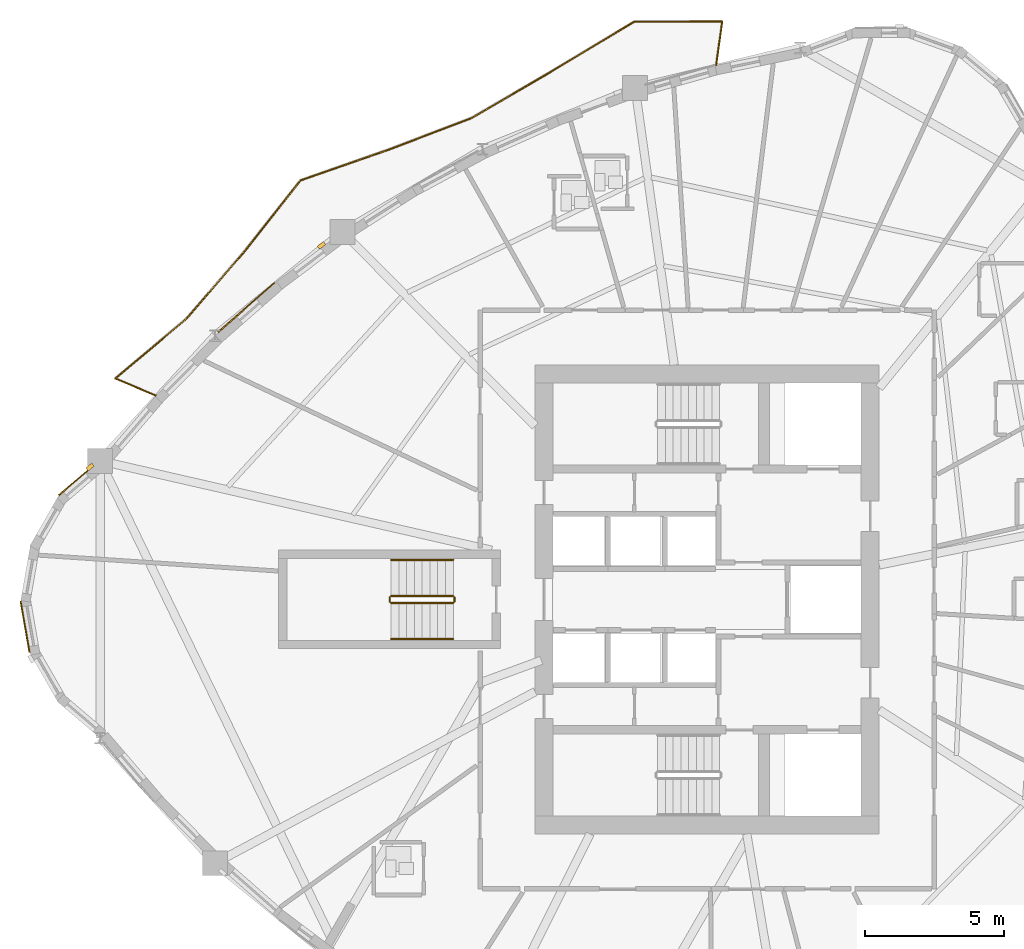
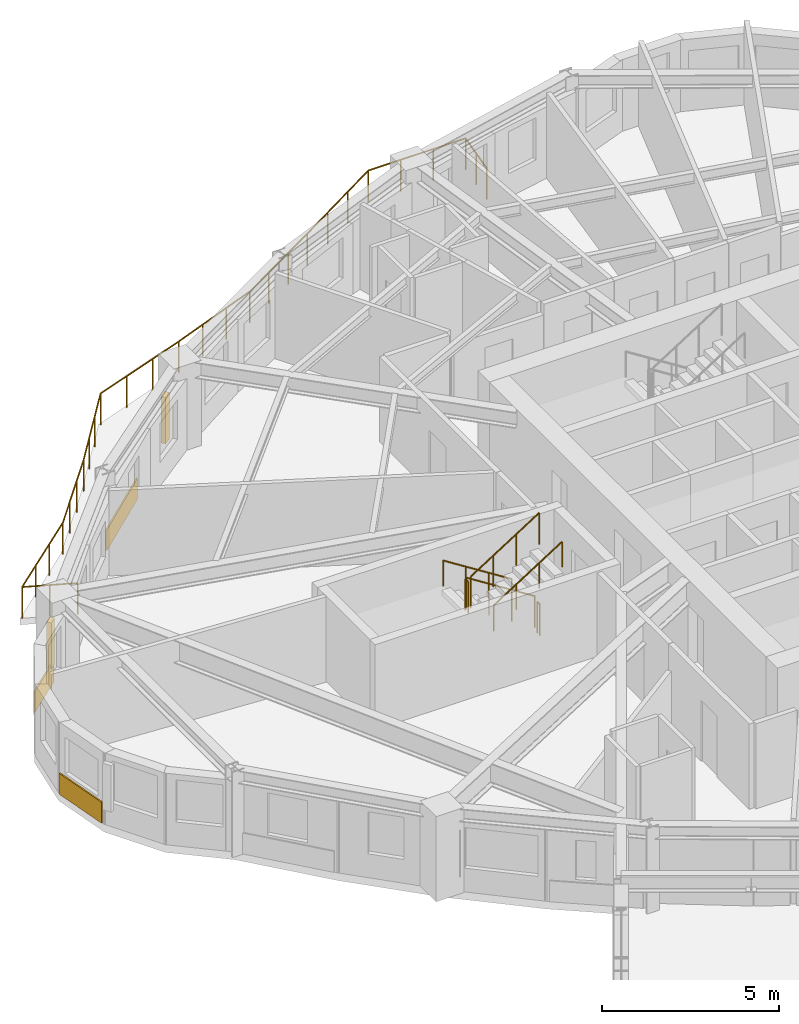
# One storey, part 14 of 17: 7 railings, 3 coverings, 2 shading devices.
"""IFC4 building model written with IfcOpenShell, lengths in metres."""

from ifc_helpers import new_model, si_unit, direction, frame, origin, origin_2d, place, context, subcontext, project, spatial, rectangle, circle, extrude, source, transform, mapped, material, layer, layer_set, type_object, element, save


model = new_model("IFC4")

# Units and contexts
model_context = context("Model", 3, precision=1e-05, world=origin(), true_north=direction((0.0, 1.0)))
body_context = subcontext(model_context, "Body", "Model", "MODEL_VIEW")
ifc_project = project(units=[si_unit("LENGTHUNIT", "METRE"), si_unit("AREAUNIT", "SQUARE_METRE"), si_unit("VOLUMEUNIT", "CUBIC_METRE"), si_unit("PLANEANGLEUNIT", "RADIAN"), si_unit("MASSUNIT", "GRAM", prefix="KILO")], contexts=[model_context])

# Site, building, storey
site_placement = place(None, origin())
site = spatial("IfcSite", under=ifc_project, at=site_placement, CompositionType="ELEMENT")
building_placement = place(site_placement, origin())
building = spatial("IfcBuilding", under=site, at=building_placement, Name="Qafzar Sky-Pleat Residences", CompositionType="ELEMENT")
storey_placement = place(building_placement, frame((0.0, 0.0, 112.0)))
storey = spatial("IfcBuildingStorey", under=building, at=storey_placement, Name="L33", CompositionType="ELEMENT", Elevation=112.0)

# Shading devices
ifc_material_1 = material(Name="Honed Riyadh limestone solar fin", Category="masonry")
ifc_layer_1 = layer(ifc_material_1, 0.139892578125)
ifc_layer_set_1 = layer_set([ifc_layer_1], Name="Honed Riyadh limestone solar fin")
shading_device_type = type_object("IfcShadingDeviceType", Name="SHD-FIN-STONE", PredefinedType="SHUTTER", material=ifc_layer_set_1)
shared_shape_1 = source(origin(), body_context, "Body", "SweptSolid", [
    extrude(rectangle(XDim=0.139892578125, YDim=0.280029296875, at=origin_2d()), origin(), (0.0, 0.0, 1.0), 1.60009765625),
])
for number, where, z_axis, x_axis, name in (
    (1, (8.1103515625, 30.771728515625, 0.599853515625), (0.0, 0.0, 1.0), (-0.648602943999, 0.761126941473, 0.0), "L33 Limestone Solar Fin 1"),
    (2, (16.45361328125, 38.758544921875, 0.599853515625), (0.0, 0.0, 1.0), (-0.60217974117, 0.798360544694, 0.0), "L33 Limestone Solar Fin 45"),
):
    element("IfcShadingDevice", number, at=place(storey_placement, frame(where, z_axis=z_axis, x_axis=x_axis)), inside=storey, type_object=shading_device_type, Name=name, PredefinedType="SHUTTER", context=body_context, shape_type="MappedRepresentation", body=[
        mapped(shared_shape_1, transform((0.0, 0.0, 0.0), x_axis=(1.0, 0.0, 0.0), y_axis=(0.0, 1.0, 0.0), z_axis=(0.0, 0.0, 1.0), scale=1.0)),
    ])

# Coverings
ifc_material_2 = material(Name="Honed Riyadh Tuwaiq limestone cladding", Category="masonry")
ifc_layer_2 = layer(ifc_material_2, 0.044921875)
ifc_layer_set_2 = layer_set([ifc_layer_2], Name="Honed Riyadh Tuwaiq limestone cladding")
covering_type = type_object("IfcCoveringType", Name="COV-CLAD-STONE", PredefinedType="CLADDING", material=ifc_layer_set_2)
shared_shape_2 = source(origin(), body_context, "Body", "SweptSolid", [
    extrude(rectangle(XDim=1.62451171875, YDim=0.044921875, at=origin_2d()), origin(), (0.0, 0.0, 1.0), 0.719970703125),
])
covering_1_placement = place(storey_placement, frame((7.597900390625, 30.278564453125, 0.02001953125), z_axis=(0.0, 0.0, 1.0), x_axis=(-0.761154082005, -0.648571093595, 0.0)))
element("IfcCovering", 3, at=covering_1_placement, inside=storey, type_object=covering_type, Name="L33 Riyadh Limestone Spandrel Cladding 1", PredefinedType="CLADDING", context=body_context, shape_type="MappedRepresentation", body=[
    mapped(shared_shape_2, transform((0.0, 0.0, 0.0), x_axis=(1.0, 0.0, 0.0), y_axis=(0.0, 1.0, 0.0), z_axis=(0.0, 0.0, 1.0), scale=1.0)),
])
shared_shape_3 = source(origin(), body_context, "Body", "SweptSolid", [
    extrude(rectangle(XDim=1.865478515625, YDim=0.044921875, at=origin_2d()), origin(), (0.0, 0.0, 1.0), 0.719970703125),
])
covering_2_placement = place(storey_placement, frame((5.77001953125, 25.0126953125, 0.02001953125), z_axis=(0.0, 0.0, 1.0), x_axis=(0.172122886012, -0.985075485489, 0.0)))
element("IfcCovering", 4, at=covering_2_placement, inside=storey, type_object=covering_type, Name="L33 Riyadh Limestone Spandrel Cladding 4", PredefinedType="CLADDING", context=body_context, shape_type="MappedRepresentation", body=[
    mapped(shared_shape_3, transform((0.0, 0.0, 0.0), x_axis=(1.0, 0.0, 0.0), y_axis=(0.0, 1.0, 0.0), z_axis=(0.0, 0.0, 1.0), scale=1.0)),
])

# Railing
ifc_material_3 = material(Name="Laminated glass and bronze steel balustrade", Category="steel")
railing_type_1 = type_object("IfcRailingType", Name="RAIL-BAL-1100", PredefinedType="BALUSTRADE", material=ifc_material_3)
shared_shape_4 = source(origin(), body_context, "Body", "SweptSolid", [
    extrude(circle(Radius=0.02392578125, at=origin_2d()), frame((0.0, 0.0, 1.076171875), z_axis=(0.137370226227, 0.990519773122, 0.0), x_axis=(-0.990519773122, 0.137370226227, 0.0)), (0.0, 0.0, 1.0), 1.578125),
    extrude(circle(Radius=0.02392578125, at=origin_2d()), frame((0.216796875, 1.563232421875, 1.076171875), z_axis=(-0.999999854605, -0.000539249594, 0.0), x_axis=(0.000539249594, -0.999999854605, 0.0)), (0.0, 0.0, 1.0), 3.169189453125),
    extrude(circle(Radius=0.02392578125, at=origin_2d()), frame((-2.952392578125, 1.5615234375, 1.076171875), z_axis=(-0.857129256153, -0.515101386377, 0.0), x_axis=(0.515101386377, -0.857129256153, 0.0)), (0.0, 0.0, 1.0), 3.55615234375),
    extrude(circle(Radius=0.02392578125, at=origin_2d()), frame((-6.00048828125, -0.270263671875, 1.076171875), z_axis=(-0.863518062616, -0.504317911179, 0.0), x_axis=(0.504317911179, -0.863518062616, 0.0)), (0.0, 0.0, 1.0), 3.260498046875),
    extrude(circle(Radius=0.02392578125, at=origin_2d()), frame((-8.81591796875, -1.91455078125, 1.076171875), z_axis=(-0.934610988639, -0.355671618089, 0.0), x_axis=(0.355671618089, -0.934610988639, 0.0)), (0.0, 0.0, 1.0), 3.167724609375),
    extrude(circle(Radius=0.02392578125, at=origin_2d()), frame((-11.776611328125, -3.041259765625, 1.076171875), z_axis=(-0.944059337016, -0.32977563311, 0.0), x_axis=(0.32977563311, -0.944059337016, 0.0)), (0.0, 0.0, 1.0), 3.386962890625),
    extrude(circle(Radius=0.02392578125, at=origin_2d()), frame((-14.97412109375, -4.158203125, 1.076171875), z_axis=(-0.620199507218, -0.784444116076, 0.0), x_axis=(0.784444116076, -0.620199507218, 0.0)), (0.0, 0.0, 1.0), 3.29248046875),
    extrude(circle(Radius=0.02392578125, at=origin_2d()), frame((-17.01611328125, -6.740966796875, 1.076171875), z_axis=(-0.652430402864, -0.757848645456, 0.0), x_axis=(0.757848645456, -0.652430402864, 0.0)), (0.0, 0.0, 1.0), 3.149658203125),
    extrude(circle(Radius=0.02392578125, at=origin_2d()), frame((-19.071044921875, -9.1279296875, 1.076171875), z_axis=(-0.765579311456, -0.643341525064, 0.0), x_axis=(0.643341525064, -0.765579311456, 0.0)), (0.0, 0.0, 1.0), 3.371337890625),
    extrude(circle(Radius=0.02392578125, at=origin_2d()), frame((-21.652099609375, -11.296875, 1.076171875), z_axis=(0.922103580948, -0.386943130193, 0.0), x_axis=(0.386943130193, 0.922103580948, 0.0)), (0.0, 0.0, 1.0), 1.577880859375),
    extrude(circle(Radius=0.02099609375, at=origin_2d()), origin(), (0.0, 0.0, 1.0), 1.052001953125),
    extrude(circle(Radius=0.02099609375, at=origin_2d()), frame((0.1083984375, 0.78173828125, 0.0)), (0.0, 0.0, 1.0), 1.052001953125),
    extrude(circle(Radius=0.02099609375, at=origin_2d()), frame((0.216796875, 1.563232421875, 0.0)), (0.0, 0.0, 1.0), 1.052001953125),
    extrude(circle(Radius=0.02099609375, at=origin_2d()), frame((-0.839599609375, 1.562744140625, 0.0)), (0.0, 0.0, 1.0), 1.052001953125),
    extrude(circle(Radius=0.02099609375, at=origin_2d()), frame((-1.89599609375, 1.56201171875, 0.0)), (0.0, 0.0, 1.0), 1.052001953125),
    extrude(circle(Radius=0.02099609375, at=origin_2d()), frame((-2.952392578125, 1.5615234375, 0.0)), (0.0, 0.0, 1.0), 1.052001953125),
    extrude(circle(Radius=0.02099609375, at=origin_2d()), frame((-3.968505859375, 0.950927734375, 0.0)), (0.0, 0.0, 1.0), 1.052001953125),
    extrude(circle(Radius=0.02099609375, at=origin_2d()), frame((-4.984375, 0.34033203125, 0.0)), (0.0, 0.0, 1.0), 1.052001953125),
    extrude(circle(Radius=0.02099609375, at=origin_2d()), frame((-6.00048828125, -0.270263671875, 0.0)), (0.0, 0.0, 1.0), 1.052001953125),
    extrude(circle(Radius=0.02099609375, at=origin_2d()), frame((-6.93896484375, -0.818359375, 0.0)), (0.0, 0.0, 1.0), 1.052001953125),
    extrude(circle(Radius=0.02099609375, at=origin_2d()), frame((-7.87744140625, -1.366455078125, 0.0)), (0.0, 0.0, 1.0), 1.052001953125),
    extrude(circle(Radius=0.02099609375, at=origin_2d()), frame((-8.81591796875, -1.91455078125, 0.0)), (0.0, 0.0, 1.0), 1.052001953125),
    extrude(circle(Radius=0.02099609375, at=origin_2d()), frame((-9.802734375, -2.2900390625, 0.0)), (0.0, 0.0, 1.0), 1.052001953125),
    extrude(circle(Radius=0.02099609375, at=origin_2d()), frame((-10.789794921875, -2.665771484375, 0.0)), (0.0, 0.0, 1.0), 1.052001953125),
    extrude(circle(Radius=0.02099609375, at=origin_2d()), frame((-11.776611328125, -3.041259765625, 0.0)), (0.0, 0.0, 1.0), 1.052001953125),
    extrude(circle(Radius=0.02099609375, at=origin_2d()), frame((-12.842529296875, -3.41357421875, 0.0)), (0.0, 0.0, 1.0), 1.052001953125),
    extrude(circle(Radius=0.02099609375, at=origin_2d()), frame((-13.908203125, -3.785888671875, 0.0)), (0.0, 0.0, 1.0), 1.052001953125),
    extrude(circle(Radius=0.02099609375, at=origin_2d()), frame((-14.97412109375, -4.158203125, 0.0)), (0.0, 0.0, 1.0), 1.052001953125),
    extrude(circle(Radius=0.02099609375, at=origin_2d()), frame((-15.65478515625, -5.01904296875, 0.0)), (0.0, 0.0, 1.0), 1.052001953125),
    extrude(circle(Radius=0.02099609375, at=origin_2d()), frame((-16.33544921875, -5.880126953125, 0.0)), (0.0, 0.0, 1.0), 1.052001953125),
    extrude(circle(Radius=0.02099609375, at=origin_2d()), frame((-17.01611328125, -6.740966796875, 0.0)), (0.0, 0.0, 1.0), 1.052001953125),
    extrude(circle(Radius=0.02099609375, at=origin_2d()), frame((-17.701171875, -7.53662109375, 0.0)), (0.0, 0.0, 1.0), 1.052001953125),
    extrude(circle(Radius=0.02099609375, at=origin_2d()), frame((-18.385986328125, -8.332275390625, 0.0)), (0.0, 0.0, 1.0), 1.052001953125),
    extrude(circle(Radius=0.02099609375, at=origin_2d()), frame((-19.071044921875, -9.1279296875, 0.0)), (0.0, 0.0, 1.0), 1.052001953125),
    extrude(circle(Radius=0.02099609375, at=origin_2d()), frame((-19.931396484375, -9.850830078125, 0.0)), (0.0, 0.0, 1.0), 1.052001953125),
    extrude(circle(Radius=0.02099609375, at=origin_2d()), frame((-20.791748046875, -10.573974609375, 0.0)), (0.0, 0.0, 1.0), 1.052001953125),
    extrude(circle(Radius=0.02099609375, at=origin_2d()), frame((-21.652099609375, -11.296875, 0.0)), (0.0, 0.0, 1.0), 1.052001953125),
    extrude(circle(Radius=0.02099609375, at=origin_2d()), frame((-20.924560546875, -11.60205078125, 0.0)), (0.0, 0.0, 1.0), 1.052001953125),
    extrude(circle(Radius=0.02099609375, at=origin_2d()), frame((-20.197021484375, -11.907470703125, 0.0)), (0.0, 0.0, 1.0), 1.052001953125),
])
railing_1_placement = place(storey_placement, frame((30.67431640625, 45.2587890625, 0.0)))
element("IfcRailing", 5, at=railing_1_placement, inside=storey, type_object=railing_type_1, Name="L33 Pleated Balcony 2 Balustrade", PredefinedType="BALUSTRADE", context=body_context, shape_type="MappedRepresentation", body=[
    mapped(shared_shape_4, transform((0.0, 0.0, 0.0), x_axis=(1.0, 0.0, 0.0), y_axis=(0.0, 1.0, 0.0), z_axis=(0.0, 0.0, 1.0), scale=1.0)),
])

# Covering
shared_shape_5 = source(origin(), body_context, "Body", "SweptSolid", [
    extrude(rectangle(XDim=2.699462890625, YDim=0.044921875, at=origin_2d()), origin(), (0.0, 0.0, 1.0), 0.719970703125),
])
covering_3_placement = place(storey_placement, frame((13.7431640625, 36.5244140625, 0.02001953125), z_axis=(0.0, 0.0, 1.0), x_axis=(-0.751462399385, -0.659775918256, 0.0)))
element("IfcCovering", 6, at=covering_3_placement, inside=storey, type_object=covering_type, Name="L33 Riyadh Limestone Spandrel Cladding 46", PredefinedType="CLADDING", context=body_context, shape_type="MappedRepresentation", body=[
    mapped(shared_shape_5, transform((0.0, 0.0, 0.0), x_axis=(1.0, 0.0, 0.0), y_axis=(0.0, 1.0, 0.0), z_axis=(0.0, 0.0, 1.0), scale=1.0)),
])

# Railings
ifc_material_4 = material(Name="Painted Steel S355 stair guardrail", Category="steel")
railing_type_2 = type_object("IfcRailingType", Name="RAIL-STAIR-GUARD", PredefinedType="GUARDRAIL", material=ifc_material_4)
shared_shape_6 = source(origin(), body_context, "Body", "SweptSolid", [
    extrude(circle(Radius=0.02392578125, at=origin_2d()), frame((0.0, 0.0, 1.076171875), z_axis=(0.0, -1.0, 0.0), x_axis=(1.0, 0.0, 0.0)), (0.0, 0.0, 1.0), 0.14990234375),
    extrude(circle(Radius=0.02099609375, at=origin_2d()), origin(), (0.0, 0.0, 1.0), 1.052001953125),
    extrude(circle(Radius=0.02099609375, at=origin_2d()), frame((0.0, -0.14990234375, 0.0)), (0.0, 0.0, 1.0), 1.052001953125),
])
for number, where, name in (
    (7, (18.909912109375, 26.074951171875, 1.60009765625), "L33 ST3 stair guard 2"),
    (8, (21.25, 26.074951171875, 0.0), "L33 ST3 stair guard 4"),
):
    element("IfcRailing", number, at=place(storey_placement, frame(where)), inside=storey, type_object=railing_type_2, Name=name, PredefinedType="GUARDRAIL", context=body_context, shape_type="MappedRepresentation", body=[
        mapped(shared_shape_6, transform((0.0, 0.0, 0.0), x_axis=(1.0, 0.0, 0.0), y_axis=(0.0, 1.0, 0.0), z_axis=(0.0, 0.0, 1.0), scale=1.0)),
    ])
shared_shape_7 = source(origin(), body_context, "Body", "SweptSolid", [
    extrude(circle(Radius=0.02392578125, at=origin_2d()), frame((0.0, 0.0, 1.076171875), z_axis=(0.8442293374, 0.0, 0.53598211339), x_axis=(0.0, 1.0, 0.0)), (0.0, 0.0, 1.0), 2.6533203125),
    extrude(circle(Radius=0.02099609375, at=origin_2d()), origin(), (0.0, 0.0, 1.0), 1.052001953125),
    extrude(circle(Radius=0.02099609375, at=origin_2d()), frame((0.74658203125, 0.0, 0.47412109375)), (0.0, 0.0, 1.0), 1.052001953125),
    extrude(circle(Radius=0.02099609375, at=origin_2d()), frame((1.493408203125, 0.0, 0.947998046875)), (0.0, 0.0, 1.0), 1.052001953125),
    extrude(circle(Radius=0.02099609375, at=origin_2d()), frame((2.239990234375, 0.0, 1.422119140625)), (0.0, 0.0, 1.0), 1.052001953125),
])
railing_2_placement = place(storey_placement, frame((18.9599609375, 25.875, 1.77783203125)))
element("IfcRailing", 9, at=railing_2_placement, inside=storey, type_object=railing_type_2, Name="L33 ST3 stair guard 3", PredefinedType="GUARDRAIL", context=body_context, shape_type="MappedRepresentation", body=[
    mapped(shared_shape_7, transform((0.0, 0.0, 0.0), x_axis=(1.0, 0.0, 0.0), y_axis=(0.0, 1.0, 0.0), z_axis=(0.0, 0.0, 1.0), scale=1.0)),
])
ifc_material_5 = material(Name="Brushed stainless steel handrail", Category="steel")
railing_type_3 = type_object("IfcRailingType", Name="RAIL-STAIR-HAND", PredefinedType="HANDRAIL", material=ifc_material_5)
shared_shape_8 = source(origin(), body_context, "Body", "SweptSolid", [
    extrude(circle(Radius=0.02392578125, at=origin_2d()), frame((0.0, 0.0, 0.8759765625), z_axis=(0.8442293374, 0.0, 0.53598211339), x_axis=(0.0, 1.0, 0.0)), (0.0, 0.0, 1.0), 2.6533203125),
    extrude(circle(Radius=0.02099609375, at=origin_2d()), origin(), (0.0, 0.0, 1.0), 0.851806640625),
    extrude(circle(Radius=0.02099609375, at=origin_2d()), frame((0.74658203125, 0.0, 0.47412109375)), (0.0, 0.0, 1.0), 0.851806640625),
    extrude(circle(Radius=0.02099609375, at=origin_2d()), frame((1.493408203125, 0.0, 0.947998046875)), (0.0, 0.0, 1.0), 0.851806640625),
    extrude(circle(Radius=0.02099609375, at=origin_2d()), frame((2.239990234375, 0.0, 1.422119140625)), (0.0, 0.0, 1.0), 0.851806640625),
])
railing_3_placement = place(storey_placement, frame((18.9599609375, 24.574951171875, 1.77783203125)))
element("IfcRailing", 10, at=railing_3_placement, inside=storey, type_object=railing_type_3, Name="L33 ST3 stair handrail 2", PredefinedType="HANDRAIL", context=body_context, shape_type="MappedRepresentation", body=[
    mapped(shared_shape_8, transform((0.0, 0.0, 0.0), x_axis=(1.0, 0.0, 0.0), y_axis=(0.0, 1.0, 0.0), z_axis=(0.0, 0.0, 1.0), scale=1.0)),
])
shared_shape_9 = source(origin(), body_context, "Body", "SweptSolid", [
    extrude(circle(Radius=0.02392578125, at=origin_2d()), frame((0.0, 0.0, 1.076171875), z_axis=(-0.84418770128, 0.0, 0.536047689118), x_axis=(0.0, -1.0, 0.0)), (0.0, 0.0, 1.0), 2.6533203125),
    extrude(circle(Radius=0.02099609375, at=origin_2d()), origin(), (0.0, 0.0, 1.0), 1.052001953125),
    extrude(circle(Radius=0.02099609375, at=origin_2d()), frame((-0.74658203125, 0.0, 0.47412109375)), (0.0, 0.0, 1.0), 1.052001953125),
    extrude(circle(Radius=0.02099609375, at=origin_2d()), frame((-1.493408203125, 0.0, 0.9482421875)), (0.0, 0.0, 1.0), 1.052001953125),
    extrude(circle(Radius=0.02099609375, at=origin_2d()), frame((-2.239990234375, 0.0, 1.42236328125)), (0.0, 0.0, 1.0), 1.052001953125),
])
railing_4_placement = place(storey_placement, frame((21.199951171875, 26.125, 0.177734375)))
element("IfcRailing", 11, at=railing_4_placement, inside=storey, type_object=railing_type_2, Name="L33 ST3 stair guard 1", PredefinedType="GUARDRAIL", context=body_context, shape_type="MappedRepresentation", body=[
    mapped(shared_shape_9, transform((0.0, 0.0, 0.0), x_axis=(1.0, 0.0, 0.0), y_axis=(0.0, 1.0, 0.0), z_axis=(0.0, 0.0, 1.0), scale=1.0)),
])
shared_shape_10 = source(origin(), body_context, "Body", "SweptSolid", [
    extrude(circle(Radius=0.02392578125, at=origin_2d()), frame((0.0, 0.0, 0.8759765625), z_axis=(-0.84418770128, 0.0, 0.536047689118), x_axis=(0.0, -1.0, 0.0)), (0.0, 0.0, 1.0), 2.6533203125),
    extrude(circle(Radius=0.02099609375, at=origin_2d()), origin(), (0.0, 0.0, 1.0), 0.851806640625),
    extrude(circle(Radius=0.02099609375, at=origin_2d()), frame((-0.74658203125, 0.0, 0.47412109375)), (0.0, 0.0, 1.0), 0.851806640625),
    extrude(circle(Radius=0.02099609375, at=origin_2d()), frame((-1.493408203125, 0.0, 0.9482421875)), (0.0, 0.0, 1.0), 0.851806640625),
    extrude(circle(Radius=0.02099609375, at=origin_2d()), frame((-2.239990234375, 0.0, 1.42236328125)), (0.0, 0.0, 1.0), 0.851806640625),
])
railing_5_placement = place(storey_placement, frame((21.199951171875, 27.425048828125, 0.177734375)))
element("IfcRailing", 12, at=railing_5_placement, inside=storey, type_object=railing_type_3, Name="L33 ST3 stair handrail 1", PredefinedType="HANDRAIL", context=body_context, shape_type="MappedRepresentation", body=[
    mapped(shared_shape_10, transform((0.0, 0.0, 0.0), x_axis=(1.0, 0.0, 0.0), y_axis=(0.0, 1.0, 0.0), z_axis=(0.0, 0.0, 1.0), scale=1.0)),
])

save(model, "model.ifc")
